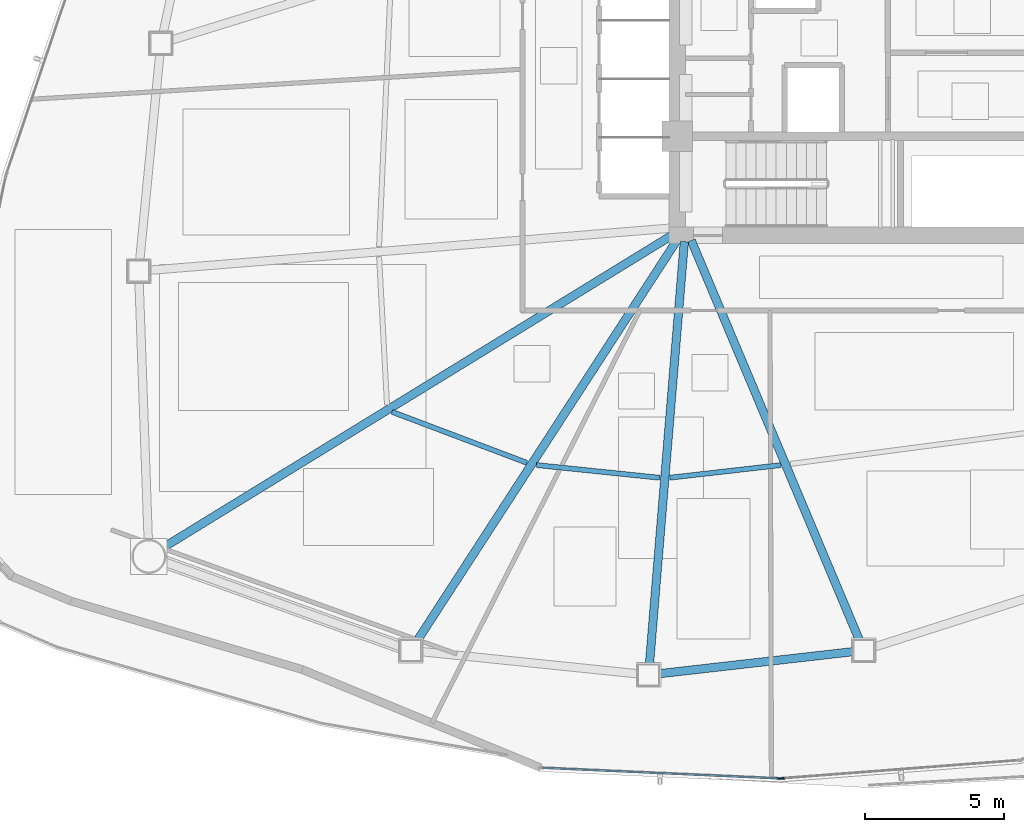
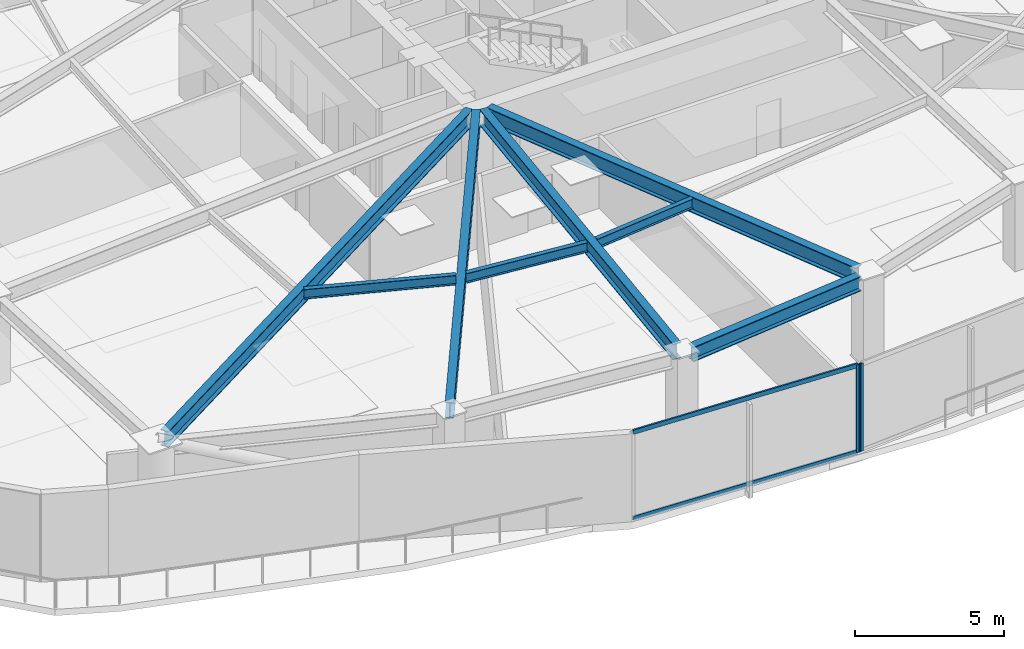
# One storey, part 3 of 19: 8 beams, 4 members, 2 elements without a shape of their own.
"""IFC4 building model written with IfcOpenShell, lengths in metres."""

from ifc_helpers import new_model, si_unit, direction, frame, origin, origin_2d, place, context, subcontext, project, spatial, hollow_rectangle, i_section, extrude, source, transform, mapped, material, layer, layer_set, material_profile, profile_set, type_object, type_shapes, element, aggregate, save


model = new_model("IFC4")

# Units and contexts
model_context = context("Model", 3, precision=1e-05, world=origin(), true_north=direction((0.0, 1.0)))
body_context = subcontext(model_context, "Body", "Model", "MODEL_VIEW")
ifc_project = project(units=[si_unit("LENGTHUNIT", "METRE"), si_unit("AREAUNIT", "SQUARE_METRE"), si_unit("VOLUMEUNIT", "CUBIC_METRE"), si_unit("PLANEANGLEUNIT", "RADIAN"), si_unit("MASSUNIT", "GRAM", prefix="KILO")], contexts=[model_context])

# Site, building, storey
site_placement = place(None, origin())
site = spatial("IfcSite", under=ifc_project, at=site_placement, CompositionType="ELEMENT")
building_placement = place(site_placement, origin())
building = spatial("IfcBuilding", under=site, at=building_placement, Name="Tavelor Broadcast Tower", CompositionType="ELEMENT")
storey_placement = place(building_placement, frame((0.0, 0.0, 27.60009765625)))
storey = spatial("IfcBuildingStorey", under=building, at=storey_placement, Name="L05", CompositionType="ELEMENT", Elevation=27.60009765625)

# Beams
ifc_material_1 = material(Name="Steel S355", Category="steel")
ifc_material_profile_1 = material_profile(ifc_material_1, i_section(OverallWidth=0.179931640625, OverallDepth=0.39990234375, WebThickness=0.008544921875, FlangeThickness=0.013427734375, at=origin_2d()), Name="IPE 400")
ifc_profile_set_1 = profile_set([ifc_material_profile_1], Name="Steel S355")
beam_type_1 = type_object("IfcBeamType", Name="Composite Floor Joist T1 IPE 400", PredefinedType="JOIST", material=ifc_profile_set_1)
beam_1_placement = place(storey_placement, frame((32.875732421875, 32.172119140625, 3.39990234375), z_axis=(0.935393222228, -0.353609275629, 0.0), x_axis=(0.353609275629, 0.935393222228, 0.0)))
element("IfcBeam", 1, at=beam_1_placement, inside=storey, type_object=beam_type_1, Name="L05 Secondary Composite Floor Joist 07", PredefinedType="JOIST", context=body_context, shape_type="SweptSolid", body=[
    extrude(i_section(OverallWidth=0.179931640625, OverallDepth=0.39990234375, WebThickness=0.008544921875, FlangeThickness=0.013427734375, at=origin_2d()), origin(), (0.0, 0.0, 1.0), 5.16357421875),
])
beam_2_placement = place(storey_placement, frame((38.05517578125, 30.263671875, 3.39990234375), z_axis=(0.994731276638, -0.102516765835, 0.0), x_axis=(0.102516765835, 0.994731276638, 0.0)))
element("IfcBeam", 2, at=beam_2_placement, inside=storey, type_object=beam_type_1, Name="L05 Secondary Composite Floor Joist 08", PredefinedType="JOIST", context=body_context, shape_type="SweptSolid", body=[
    extrude(i_section(OverallWidth=0.179931640625, OverallDepth=0.39990234375, WebThickness=0.008544921875, FlangeThickness=0.013427734375, at=origin_2d()), origin(), (0.0, 0.0, 1.0), 4.44384765625),
])
beam_3_placement = place(storey_placement, frame((42.83544921875, 29.81005859375, 3.39990234375), z_axis=(0.993584195036, 0.113094860076, 0.0), x_axis=(-0.113094860076, 0.993584195036, 0.0)))
element("IfcBeam", 3, at=beam_3_placement, inside=storey, type_object=beam_type_1, Name="L05 Secondary Composite Floor Joist 09", PredefinedType="JOIST", context=body_context, shape_type="SweptSolid", body=[
    extrude(i_section(OverallWidth=0.179931640625, OverallDepth=0.39990234375, WebThickness=0.008544921875, FlangeThickness=0.013427734375, at=origin_2d()), origin(), (0.0, 0.0, 1.0), 3.99365234375),
])
ifc_material_profile_2 = material_profile(ifc_material_1, i_section(OverallWidth=0.300048828125, OverallDepth=0.60009765625, WebThickness=0.015380859375, FlangeThickness=0.030029296875, at=origin_2d()), Name="HEB 600")
ifc_profile_set_2 = profile_set([ifc_material_profile_2], Name="Steel S355")
beam_type_2 = type_object("IfcBeamType", Name="Perimeter Spandrel Beam T1 HEB 600", PredefinedType="SPANDREL", material=ifc_profile_set_2)
beam_4_placement = place(storey_placement, frame((42.45458984375, 22.783935546875, 3.2998046875), z_axis=(0.993590028959, 0.113043594921, 0.0), x_axis=(-0.113043594921, 0.993590028959, 0.0)))
element("IfcBeam", 4, at=beam_4_placement, inside=storey, type_object=beam_type_2, Name="L05 Framed-Tube Ring Spandrel 09", PredefinedType="SPANDREL", context=body_context, shape_type="SweptSolid", body=[
    extrude(i_section(OverallWidth=0.300048828125, OverallDepth=0.60009765625, WebThickness=0.015380859375, FlangeThickness=0.030029296875, at=origin_2d()), origin(), (0.0, 0.0, 1.0), 6.995361328125),
])
ifc_material_profile_3 = material_profile(ifc_material_1, i_section(OverallWidth=0.300048828125, OverallDepth=0.64990234375, WebThickness=0.01611328125, FlangeThickness=0.031005859375, at=origin_2d()), Name="HEB 650")
ifc_profile_set_3 = profile_set([ifc_material_profile_3], Name="Steel S355")
beam_type_3 = type_object("IfcBeamType", Name="Radial Floor Girder T1 HEB 650", PredefinedType="BEAM", material=ifc_profile_set_3)
beam_5_placement = place(storey_placement, frame((42.949951171875, 38.523681640625, 3.27490234375), z_axis=(-0.852260376483, -0.523117817205, 0.0), x_axis=(0.523117817205, -0.852260376483, 0.0)))
element("IfcBeam", 5, at=beam_5_placement, inside=storey, type_object=beam_type_3, Name="L05 Radial Primary Floor Girder 07", PredefinedType="BEAM", context=body_context, shape_type="SweptSolid", body=[
    extrude(i_section(OverallWidth=0.300048828125, OverallDepth=0.64990234375, WebThickness=0.01611328125, FlangeThickness=0.031005859375, at=origin_2d()), origin(), (0.0, 0.0, 1.0), 21.463134765625),
])
beam_6_placement = place(storey_placement, frame((43.11279296875, 38.35693359375, 3.27490234375), z_axis=(-0.544182728087, -0.838966720706, 0.0), x_axis=(0.838966720706, -0.544182728087, 0.0)))
element("IfcBeam", 6, at=beam_6_placement, inside=storey, type_object=beam_type_3, Name="L05 Radial Primary Floor Girder 08", PredefinedType="BEAM", context=body_context, shape_type="SweptSolid", body=[
    extrude(i_section(OverallWidth=0.300048828125, OverallDepth=0.64990234375, WebThickness=0.01611328125, FlangeThickness=0.031005859375, at=origin_2d()), origin(), (0.0, 0.0, 1.0), 17.186767578125),
])
beam_7_placement = place(storey_placement, frame((43.3564453125, 38.273681640625, 3.27490234375), z_axis=(-0.082338386508, -0.996604430106, 0.0), x_axis=(0.996604430106, -0.082338386508, 0.0)))
element("IfcBeam", 7, at=beam_7_placement, inside=storey, type_object=beam_type_3, Name="L05 Radial Primary Floor Girder 09", PredefinedType="BEAM", context=body_context, shape_type="SweptSolid", body=[
    extrude(i_section(OverallWidth=0.300048828125, OverallDepth=0.64990234375, WebThickness=0.01611328125, FlangeThickness=0.031005859375, at=origin_2d()), origin(), (0.0, 0.0, 1.0), 15.201904296875),
])
beam_8_placement = place(storey_placement, frame((43.604736328125, 38.313232421875, 3.27490234375), z_axis=(0.387757434366, -0.921761450753, 0.0), x_axis=(0.921761450753, 0.387757434366, 0.0)))
element("IfcBeam", 8, at=beam_8_placement, inside=storey, type_object=beam_type_3, Name="L05 Radial Primary Floor Girder 10", PredefinedType="BEAM", context=body_context, shape_type="SweptSolid", body=[
    extrude(i_section(OverallWidth=0.300048828125, OverallDepth=0.64990234375, WebThickness=0.01611328125, FlangeThickness=0.031005859375, at=origin_2d()), origin(), (0.0, 0.0, 1.0), 15.55859375),
])

# Curtain wall, member
ifc_material_2 = material(Name="Architectural Anodized Aluminium", Category="aluminium")
ifc_layer = layer(ifc_material_2, 0.179931640625)
ifc_layer_set = layer_set([ifc_layer], Name="Architectural Anodized Aluminium")
curtain_wall_type = type_object("IfcCurtainWallType", Name="Tower Low-Zone Unitised Curtain Wall CW02", PredefinedType="NOTDEFINED", material=ifc_layer_set)
curtain_wall_1_placement = place(storey_placement, origin())
curtain_wall_1 = element("IfcCurtainWall", 9, at=curtain_wall_1_placement, inside=storey, type_object=curtain_wall_type, Name="L05 Curtain Wall CW02 Run 17", PredefinedType="NOTDEFINED")
ifc_material_profile_4 = material_profile(ifc_material_2, hollow_rectangle(XDim=0.06494140625, YDim=0.179931640625, WallThickness=0.02197265625, at=origin_2d()), Name="RHS 65x180x22")
ifc_profile_set_4 = profile_set([ifc_material_profile_4], Name="Architectural Anodized Aluminium")
member_type_1 = type_object("IfcMemberType", Name="CW02 Extruded Aluminium Mullion 65x180", PredefinedType="MULLION", material=ifc_profile_set_4)
shared_shape_1 = source(origin(), body_context, "Body", "SweptSolid", [
    extrude(hollow_rectangle(XDim=0.06494140625, YDim=0.179931640625, WallThickness=0.02197265625, at=origin_2d()), origin(), (0.0, 0.0, 1.0), 3.599853515625),
])
type_shapes(member_type_1, [shared_shape_1])
member_1_placement = place(storey_placement, frame((46.760498046875, 19.028076171875, 0.0), z_axis=(0.0, 0.0, 1.0), x_axis=(0.044932120711, 0.998990042257, 0.0)))
member_1 = element("IfcMember", 10, at=member_1_placement, type_object=member_type_1, Name="CW02 mullion 2", PredefinedType="MULLION", context=body_context, shape_type="MappedRepresentation", body=[
    mapped(shared_shape_1, transform((0.0, 0.0, 0.0), scale=1.0)),
])

curtain_wall_2_placement = place(storey_placement, origin())
curtain_wall_2 = element("IfcCurtainWall", 11, at=curtain_wall_2_placement, inside=storey, type_object=curtain_wall_type, Name="L05 Curtain Wall CW02 Run 18", PredefinedType="NOTDEFINED")
member_2_placement = place(storey_placement, frame((46.85546875, 19.029541015625, 0.0), z_axis=(0.0, 0.0, 1.0), x_axis=(-0.076282494148, 0.997086245561, 0.0)))
member_2 = element("IfcMember", 12, at=member_2_placement, type_object=member_type_1, Name="CW02 mullion 1", PredefinedType="MULLION", context=body_context, shape_type="MappedRepresentation", body=[
    mapped(shared_shape_1, transform((0.0, 0.0, 0.0), scale=1.0)),
])
aggregate(curtain_wall_2, [member_2])

# Member
ifc_material_profile_5 = material_profile(ifc_material_2, hollow_rectangle(XDim=0.06494140625, YDim=0.179931640625, WallThickness=0.02197265625, at=origin_2d()), Name="RHS 65x180x22")
ifc_profile_set_5 = profile_set([ifc_material_profile_5], Name="Architectural Anodized Aluminium")
member_type_2 = type_object("IfcMemberType", Name="CW02 Extruded Aluminium Transom 65x180", PredefinedType="USERDEFINED", material=ifc_profile_set_5)
shared_shape_2 = source(origin(), body_context, "Body", "SweptSolid", [
    extrude(hollow_rectangle(XDim=0.06494140625, YDim=0.179931640625, WallThickness=0.02197265625, at=origin_2d()), origin(), (0.0, 0.0, 1.0), 8.47412109375),
])
type_shapes(member_type_2, [shared_shape_2])
member_3_placement = place(storey_placement, frame((38.262451171875, 19.410400390625, 0.032470703125), z_axis=(0.998989520273, -0.044943724632, 0.0), x_axis=(0.044943724632, 0.998989520273, 0.0)))
member_3 = element("IfcMember", 13, at=member_3_placement, type_object=member_type_2, Name="CW02 transom 1.1", ObjectType="TRANSOM", PredefinedType="USERDEFINED", context=body_context, shape_type="MappedRepresentation", body=[
    mapped(shared_shape_2, transform((0.0, 0.0, 0.0), scale=1.0)),
])

member_4_placement = place(storey_placement, frame((38.262451171875, 19.410400390625, 3.5673828125), z_axis=(0.998989520273, -0.044943724632, 0.0), x_axis=(0.044943724632, 0.998989520273, 0.0)))
member_4 = element("IfcMember", 14, at=member_4_placement, type_object=member_type_2, Name="CW02 transom 1.2", ObjectType="TRANSOM", PredefinedType="USERDEFINED", context=body_context, shape_type="MappedRepresentation", body=[
    mapped(shared_shape_2, transform((0.0, 0.0, 0.0), scale=1.0)),
])

aggregate(curtain_wall_1, [member_1, member_3, member_4])

save(model, "model.ifc")
